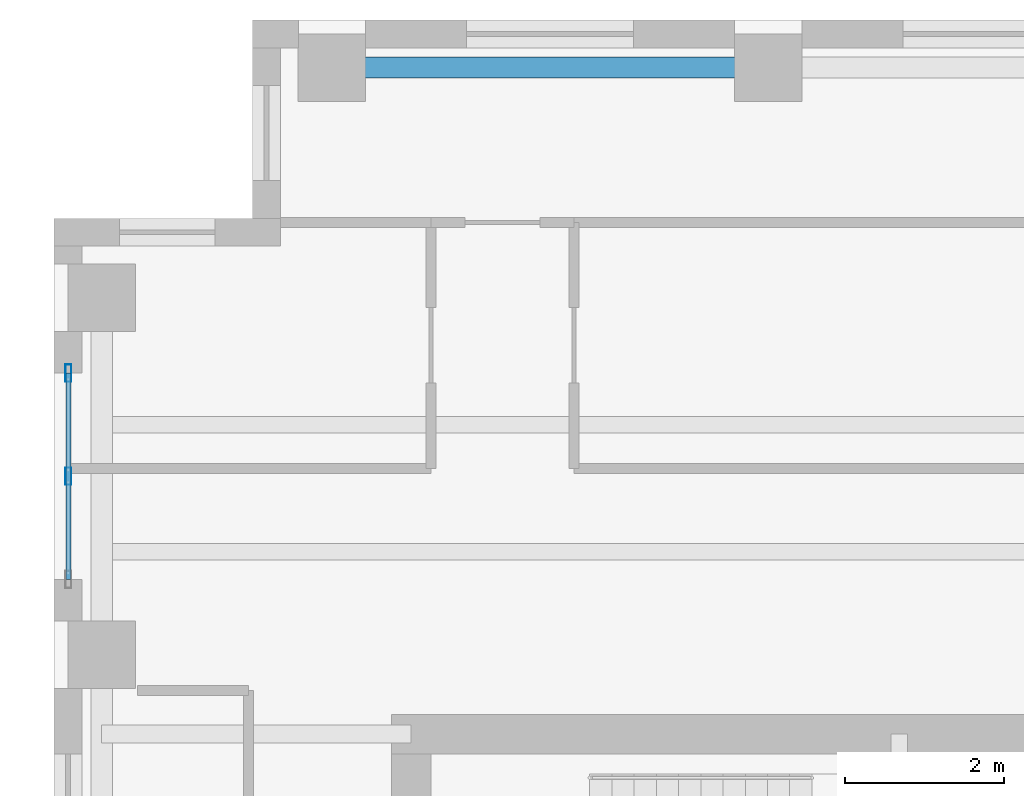
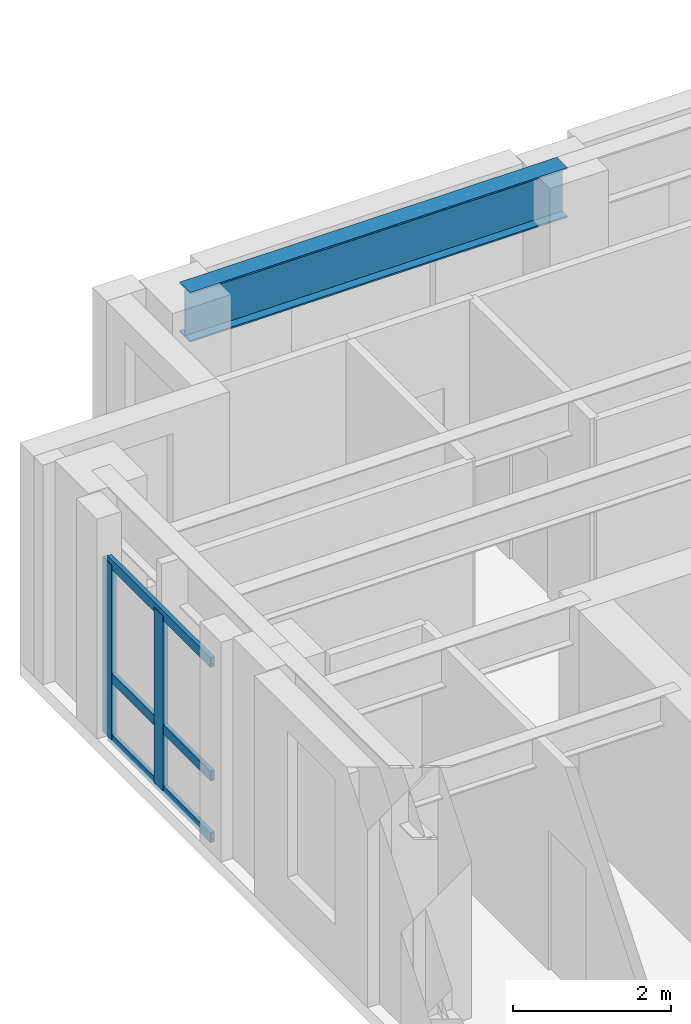
# One storey, part 4 of 13: 5 members, 1 beam, 1 element without a shape of its own.
"""IFC4 building model written with IfcOpenShell, lengths in metres."""

from ifc_helpers import new_model, si_unit, direction, frame, origin, origin_2d, place, context, subcontext, project, spatial, hollow_rectangle, i_section, extrude, source, transform, mapped, material, layer, layer_set, material_profile, profile_set, type_object, element, aggregate, save


model = new_model("IFC4")

# Units and contexts
model_context = context("Model", 3, precision=1e-05, world=origin(), true_north=direction((0.0, 1.0)))
body_context = subcontext(model_context, "Body", "Model", "MODEL_VIEW")
ifc_project = project(units=[si_unit("LENGTHUNIT", "METRE"), si_unit("AREAUNIT", "SQUARE_METRE"), si_unit("VOLUMEUNIT", "CUBIC_METRE"), si_unit("PLANEANGLEUNIT", "RADIAN"), si_unit("MASSUNIT", "GRAM", prefix="KILO")], contexts=[model_context])

# Site, building, storey
site_placement = place(None, origin())
site = spatial("IfcSite", under=ifc_project, at=site_placement, CompositionType="ELEMENT")
building_placement = place(site_placement, origin())
building = spatial("IfcBuilding", under=site, at=building_placement, Name="Kharzan Plaza Tower", CompositionType="ELEMENT")
storey_placement = place(building_placement, frame((0.0, 0.0, 252.0)))
storey = spatial("IfcBuildingStorey", under=building, at=storey_placement, Name="L68", CompositionType="ELEMENT", Elevation=252.0)

# Curtain wall, members
ifc_material_1 = material(Name="Unitised Bronze-Anodized Aluminium and Low-E Glass", Category="aluminium")
ifc_layer = layer(ifc_material_1, 0.199951171875)
ifc_layer_set = layer_set([ifc_layer], Name="Unitised Bronze-Anodized Aluminium and Low-E Glass")
curtain_wall_type = type_object("IfcCurtainWallType", Name="CW-EXEC-5", PredefinedType="NOTDEFINED", material=ifc_layer_set)
curtain_wall_placement = place(storey_placement, origin())
curtain_wall = element("IfcCurtainWall", 1, at=curtain_wall_placement, inside=storey, type_object=curtain_wall_type, Name="L68 Upper Executive Setback Panoramic Curtain Wall", PredefinedType="NOTDEFINED")
ifc_material_2 = material(Name="Anodized Bronze Aluminium", Category="aluminium")
ifc_material_profile_1 = material_profile(ifc_material_2, hollow_rectangle(XDim=0.074951171875, YDim=0.219970703125, WallThickness=0.00390625, at=origin_2d()), Name="ALU-M220x75x4")
ifc_profile_set_1 = profile_set([ifc_material_profile_1], Name="Anodized Bronze Aluminium")
member_type_1 = type_object("IfcMemberType", Name="MEM-CW-MUL200", PredefinedType="MULLION", material=ifc_profile_set_1)
shared_shape_1 = source(origin(), body_context, "Body", "SweptSolid", [
    extrude(hollow_rectangle(XDim=0.074951171875, YDim=0.219970703125, WallThickness=0.00390625, at=origin_2d()), origin(), (0.0, 0.0, 1.0), 2.699951171875),
])
member_1_placement = place(storey_placement, frame((0.179931640625, 32.75, 0.0), z_axis=(0.0, 0.0, 1.0), x_axis=(1.0, 0.0, 0.0)))
member_1 = element("IfcMember", 2, at=member_1_placement, type_object=member_type_1, Name="L68 Curtain-Wall Mullion 01", PredefinedType="MULLION", context=body_context, shape_type="MappedRepresentation", body=[
    mapped(shared_shape_1, transform((0.0, 0.0, 0.0), x_axis=(1.0, 0.0, 0.0), y_axis=(0.0, 1.0, 0.0), z_axis=(0.0, 0.0, 1.0))),
])
member_2_placement = place(storey_placement, frame((0.179931640625, 34.050048828125, 0.0), z_axis=(0.0, 0.0, 1.0), x_axis=(1.0, 0.0, 0.0)))
member_2 = element("IfcMember", 3, at=member_2_placement, type_object=member_type_1, Name="L68 Curtain-Wall Mullion 02", PredefinedType="MULLION", context=body_context, shape_type="MappedRepresentation", body=[
    mapped(shared_shape_1, transform((0.0, 0.0, 0.0), x_axis=(1.0, 0.0, 0.0), y_axis=(0.0, 1.0, 0.0), z_axis=(0.0, 0.0, 1.0))),
])

# Beam
ifc_material_3 = material(Name="Steel S355", Category="steel")
ifc_material_profile_2 = material_profile(ifc_material_3, i_section(OverallWidth=0.26708984375, OverallDepth=0.76611328125, WebThickness=0.014892578125, FlangeThickness=0.023681640625, at=origin_2d()), Name="W760x185")
ifc_profile_set_2 = profile_set([ifc_material_profile_2], Name="Steel S355")
beam_type = type_object("IfcBeamType", Name="BM-SP760B", PredefinedType="SPANDREL", material=ifc_profile_set_2)
shared_shape_2 = source(origin(), body_context, "Body", "SweptSolid", [
    extrude(i_section(OverallWidth=0.26708984375, OverallDepth=0.76611328125, WebThickness=0.014892578125, FlangeThickness=0.023681640625, at=origin_2d()), origin(), (0.0, 0.0, 1.0), 5.5),
])
beam_placement = place(storey_placement, frame((3.5, 37.89990234375, 3.01708984375), z_axis=(1.0, 0.0, 0.0), x_axis=(0.0, 1.0, 0.0)))
element("IfcBeam", 4, at=beam_placement, inside=storey, type_object=beam_type, Name="L68 Perimeter Tube Spandrel", PredefinedType="SPANDREL", context=body_context, shape_type="MappedRepresentation", body=[
    mapped(shared_shape_2, transform((0.0, 0.0, 0.0), x_axis=(1.0, 0.0, 0.0), y_axis=(0.0, 1.0, 0.0), z_axis=(0.0, 0.0, 1.0))),
])

# Member
ifc_material_profile_3 = material_profile(ifc_material_2, hollow_rectangle(XDim=0.06005859375, YDim=0.14990234375, WallThickness=0.00341796875, at=origin_2d()), Name="ALU-T150x60x3.5")
ifc_profile_set_3 = profile_set([ifc_material_profile_3], Name="Anodized Bronze Aluminium")
member_type_2 = type_object("IfcMemberType", Name="MEM-CW-TRN150", PredefinedType="USERDEFINED", material=ifc_profile_set_3)
shared_shape_3 = source(origin(), body_context, "Body", "SweptSolid", [
    extrude(hollow_rectangle(XDim=0.06005859375, YDim=0.14990234375, WallThickness=0.00341796875, at=origin_2d()), origin(), (0.0, 0.0, 1.0), 2.60009765625),
])
member_3_placement = place(storey_placement, frame((0.179931640625, 31.449951171875, 0.0), z_axis=(0.0, 1.0, 0.0), x_axis=(-1.0, 0.0, 0.0)))
member_3 = element("IfcMember", 5, at=member_3_placement, type_object=member_type_2, Name="L68 Curtain-Wall Transom 1", ObjectType="TRANSOM", PredefinedType="USERDEFINED", context=body_context, shape_type="MappedRepresentation", body=[
    mapped(shared_shape_3, transform((0.0, 0.0, 0.0), x_axis=(1.0, 0.0, 0.0), y_axis=(0.0, 1.0, 0.0), z_axis=(0.0, 0.0, 1.0))),
])

member_4_placement = place(storey_placement, frame((0.179931640625, 31.449951171875, 0.949951171875), z_axis=(0.0, 1.0, 0.0), x_axis=(-1.0, 0.0, 0.0)))
member_4 = element("IfcMember", 6, at=member_4_placement, type_object=member_type_2, Name="L68 Curtain-Wall Transom 2", ObjectType="TRANSOM", PredefinedType="USERDEFINED", context=body_context, shape_type="MappedRepresentation", body=[
    mapped(shared_shape_3, transform((0.0, 0.0, 0.0), x_axis=(1.0, 0.0, 0.0), y_axis=(0.0, 1.0, 0.0), z_axis=(0.0, 0.0, 1.0))),
])

member_5_placement = place(storey_placement, frame((0.179931640625, 31.449951171875, 2.699951171875), z_axis=(0.0, 1.0, 0.0), x_axis=(-1.0, 0.0, 0.0)))
member_5 = element("IfcMember", 7, at=member_5_placement, type_object=member_type_2, Name="L68 Curtain-Wall Transom 3", ObjectType="TRANSOM", PredefinedType="USERDEFINED", context=body_context, shape_type="MappedRepresentation", body=[
    mapped(shared_shape_3, transform((0.0, 0.0, 0.0), x_axis=(1.0, 0.0, 0.0), y_axis=(0.0, 1.0, 0.0), z_axis=(0.0, 0.0, 1.0))),
])

aggregate(curtain_wall, [member_1, member_2, member_3, member_4, member_5])

save(model, "model.ifc")
